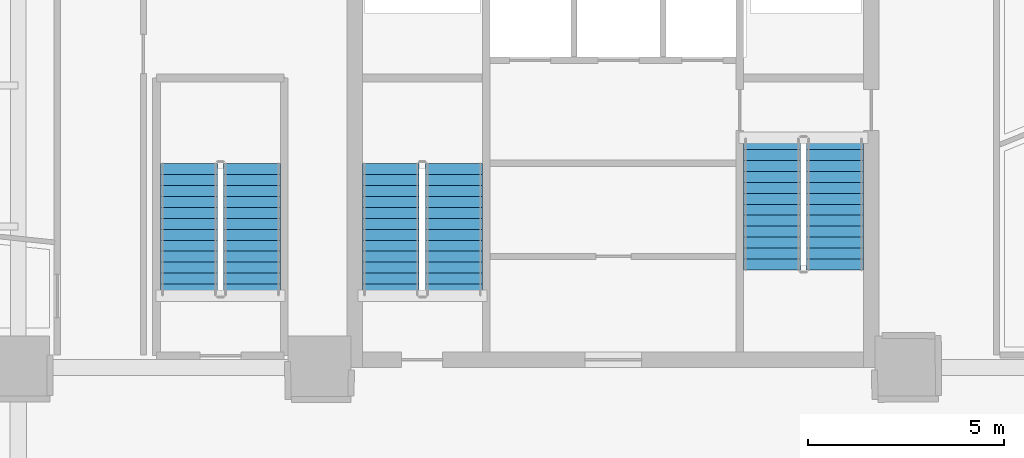
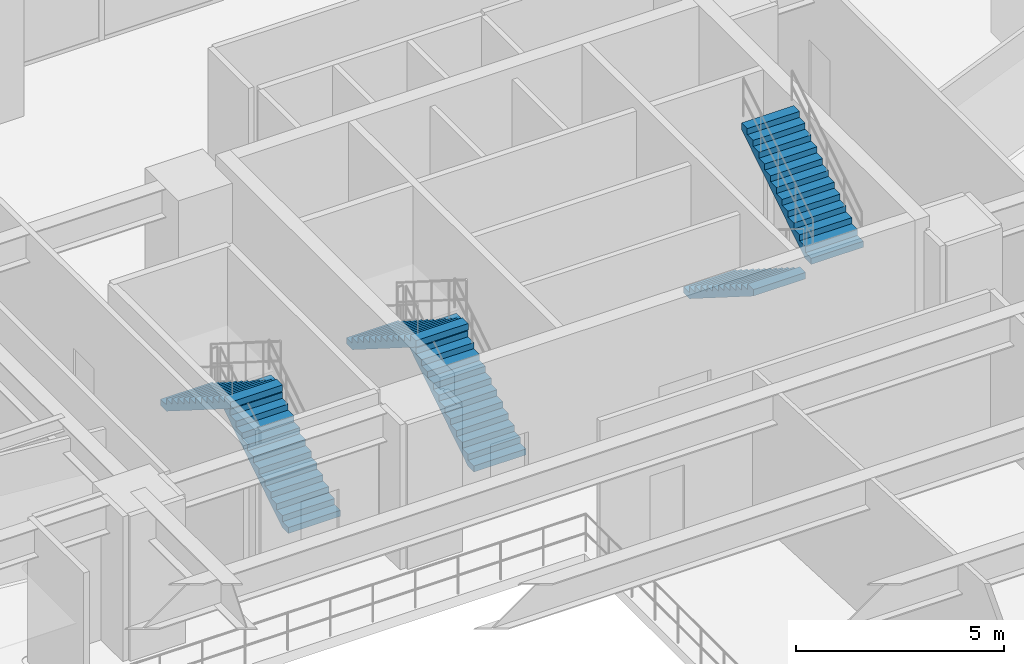
# One storey, part 22 of 25: 6 stair flights, 3 elements without a shape of their own.
"""IFC4 building model written with IfcOpenShell, lengths in metres."""

from ifc_helpers import new_model, si_unit, direction, frame, origin, place, context, subcontext, project, spatial, polyline, outline, extrude, material, layer, layer_set, type_object, element, aggregate, save


model = new_model("IFC4")

# Units and contexts
model_context = context("Model", 3, precision=1e-05, world=origin(), true_north=direction((0.0, 1.0)))
body_context = subcontext(model_context, "Body", "Model", "MODEL_VIEW")
ifc_project = project(units=[si_unit("LENGTHUNIT", "METRE"), si_unit("AREAUNIT", "SQUARE_METRE"), si_unit("VOLUMEUNIT", "CUBIC_METRE"), si_unit("PLANEANGLEUNIT", "RADIAN"), si_unit("MASSUNIT", "GRAM", prefix="KILO")], contexts=[model_context])

# Site, building, storey
site_placement = place(None, origin())
site = spatial("IfcSite", under=ifc_project, at=site_placement, CompositionType="ELEMENT")
building_placement = place(site_placement, origin())
building = spatial("IfcBuilding", under=site, at=building_placement, Name="Talar Marvaseh", CompositionType="ELEMENT")
storey_placement = place(building_placement, frame((0.0, 0.0, 14.39990234375)))
storey = spatial("IfcBuildingStorey", under=building, at=storey_placement, Name="L03", CompositionType="ELEMENT", Elevation=14.39990234375)

# Stair, stair flights
ifc_material = material(Name="Concrete C40/50", Category="concrete")
stair_type = type_object("IfcStairType", Name="Reinforced Concrete Half-Turn Exit Stair Type A", PredefinedType="HALF_TURN_STAIR", material=ifc_material)
stair_1_placement = place(storey_placement, origin())
stair_1 = element("IfcStair", 1, at=stair_1_placement, inside=storey, type_object=stair_type, Name="L03 Tower West Core Exit Stair", PredefinedType="HALF_TURN_STAIR")
ifc_layer = layer(ifc_material, 0.18505859375)
ifc_layer_set = layer_set([ifc_layer], Name="Concrete C40/50")
stair_flight_type = type_object("IfcStairFlightType", Name="Reinforced Concrete Heavy Podium Stair Flight 185", PredefinedType="STRAIGHT", material=ifc_layer_set)
stair_flight_1_placement = place(storey_placement, frame((21.93505859375, 27.64990234375, 0.0), z_axis=(0.0, 0.0, 1.0), x_axis=(0.0, 1.0, 0.0)))
stair_flight_1 = element("IfcStairFlight", 2, at=stair_flight_1_placement, type_object=stair_flight_type, Name="ST-1 flight 1", NumberOfRisers=13, NumberOfTreads=12, PredefinedType="STRAIGHT", RiserHeight=0.176923077, TreadLength=0.28, context=body_context, shape_type="SweptSolid", body=[
    extrude(outline(polyline([(0.0, 0.0), (0.0, 0.177001953125), (0.280029296875, 0.177001953125), (0.280029296875, 0.353759765625), (0.56005859375, 0.353759765625), (0.56005859375, 0.53076171875), (0.840087890625, 0.53076171875), (0.840087890625, 0.707763671875), (1.1201171875, 0.707763671875), (1.1201171875, 0.884521484375), (1.39990234375, 0.884521484375), (1.39990234375, 1.0615234375), (1.679931640625, 1.0615234375), (1.679931640625, 1.238525390625), (1.9599609375, 1.238525390625), (1.9599609375, 1.415283203125), (2.239990234375, 1.415283203125), (2.239990234375, 1.59228515625), (2.52001953125, 1.59228515625), (2.52001953125, 1.769287109375), (2.800048828125, 1.769287109375), (2.800048828125, 1.946044921875), (3.080078125, 1.946044921875), (3.080078125, 2.123046875), (3.360107421875, 2.123046875), (3.360107421875, 2.300048828125), (3.360107421875, 1.933837890625), (0.29931640625, 0.0), (0.0, 0.0)])), frame((0.0, 0.72509765625, 0.0), z_axis=(0.0, -1.0, 0.0), x_axis=(1.0, 0.0, 0.0)), (0.0, 0.0, 1.0), 1.449951171875),
])
stair_flight_2_placement = place(storey_placement, frame((20.324951171875, 31.010009765625, 2.300048828125), z_axis=(0.0, 0.0, 1.0), x_axis=(0.0, -1.0, 0.0)))
stair_flight_2 = element("IfcStairFlight", 3, at=stair_flight_2_placement, type_object=stair_flight_type, Name="ST-1 flight 2", NumberOfRisers=13, NumberOfTreads=12, PredefinedType="STRAIGHT", RiserHeight=0.176923077, TreadLength=0.28, context=body_context, shape_type="SweptSolid", body=[
    extrude(outline(polyline([(0.0, 0.0), (0.0, 0.177001953125), (0.280029296875, 0.177001953125), (0.280029296875, 0.353759765625), (0.56005859375, 0.353759765625), (0.56005859375, 0.53076171875), (0.840087890625, 0.53076171875), (0.840087890625, 0.707763671875), (1.1201171875, 0.707763671875), (1.1201171875, 0.884521484375), (1.39990234375, 0.884521484375), (1.39990234375, 1.0615234375), (1.679931640625, 1.0615234375), (1.679931640625, 1.238525390625), (1.9599609375, 1.238525390625), (1.9599609375, 1.415283203125), (2.239990234375, 1.415283203125), (2.239990234375, 1.59228515625), (2.52001953125, 1.59228515625), (2.52001953125, 1.769287109375), (2.800048828125, 1.769287109375), (2.800048828125, 1.946044921875), (3.080078125, 1.946044921875), (3.080078125, 2.123046875), (3.360107421875, 2.123046875), (3.360107421875, 2.300048828125), (3.360107421875, 1.933837890625), (0.29931640625, 0.0), (0.0, 0.0)])), frame((0.0, 0.72509765625, 0.0), z_axis=(0.0, -1.0, 0.0), x_axis=(1.0, 0.0, 0.0)), (0.0, 0.0, 1.0), 1.449951171875),
])
aggregate(stair_1, [stair_flight_1, stair_flight_2])

stair_2_placement = place(storey_placement, origin())
stair_2 = element("IfcStair", 4, at=stair_2_placement, inside=storey, type_object=stair_type, Name="L03 Tower East Core Exit Stair", PredefinedType="HALF_TURN_STAIR")
stair_flight_3_placement = place(storey_placement, frame((30.06494140625, 31.64990234375, 0.0), z_axis=(0.0, 0.0, 1.0), x_axis=(0.0, -1.0, 0.0)))
stair_flight_3 = element("IfcStairFlight", 5, at=stair_flight_3_placement, type_object=stair_flight_type, Name="ST-2 flight 1", NumberOfRisers=13, NumberOfTreads=12, PredefinedType="STRAIGHT", RiserHeight=0.176923077, TreadLength=0.28, context=body_context, shape_type="SweptSolid", body=[
    extrude(outline(polyline([(0.0, 0.0), (0.0, 0.177001953125), (0.280029296875, 0.177001953125), (0.280029296875, 0.353759765625), (0.56005859375, 0.353759765625), (0.56005859375, 0.53076171875), (0.840087890625, 0.53076171875), (0.840087890625, 0.707763671875), (1.1201171875, 0.707763671875), (1.1201171875, 0.884521484375), (1.39990234375, 0.884521484375), (1.39990234375, 1.0615234375), (1.679931640625, 1.0615234375), (1.679931640625, 1.238525390625), (1.9599609375, 1.238525390625), (1.9599609375, 1.415283203125), (2.239990234375, 1.415283203125), (2.239990234375, 1.59228515625), (2.52001953125, 1.59228515625), (2.52001953125, 1.769287109375), (2.800048828125, 1.769287109375), (2.800048828125, 1.946044921875), (3.080078125, 1.946044921875), (3.080078125, 2.123046875), (3.360107421875, 2.123046875), (3.360107421875, 2.300048828125), (3.360107421875, 1.933837890625), (0.29931640625, 0.0), (0.0, 0.0)])), frame((0.0, 0.72509765625, 0.0), z_axis=(0.0, -1.0, 0.0), x_axis=(1.0, 0.0, 0.0)), (0.0, 0.0, 1.0), 1.449951171875),
])
stair_flight_4_placement = place(storey_placement, frame((31.675048828125, 28.2900390625, 2.300048828125), z_axis=(0.0, 0.0, 1.0), x_axis=(0.0, 1.0, 0.0)))
stair_flight_4 = element("IfcStairFlight", 6, at=stair_flight_4_placement, type_object=stair_flight_type, Name="ST-2 flight 2", NumberOfRisers=13, NumberOfTreads=12, PredefinedType="STRAIGHT", RiserHeight=0.176923077, TreadLength=0.28, context=body_context, shape_type="SweptSolid", body=[
    extrude(outline(polyline([(0.0, 0.0), (0.0, 0.177001953125), (0.280029296875, 0.177001953125), (0.280029296875, 0.353759765625), (0.56005859375, 0.353759765625), (0.56005859375, 0.53076171875), (0.840087890625, 0.53076171875), (0.840087890625, 0.707763671875), (1.1201171875, 0.707763671875), (1.1201171875, 0.884521484375), (1.39990234375, 0.884521484375), (1.39990234375, 1.0615234375), (1.679931640625, 1.0615234375), (1.679931640625, 1.238525390625), (1.9599609375, 1.238525390625), (1.9599609375, 1.415283203125), (2.239990234375, 1.415283203125), (2.239990234375, 1.59228515625), (2.52001953125, 1.59228515625), (2.52001953125, 1.769287109375), (2.800048828125, 1.769287109375), (2.800048828125, 1.946044921875), (3.080078125, 1.946044921875), (3.080078125, 2.123046875), (3.360107421875, 2.123046875), (3.360107421875, 2.300048828125), (3.360107421875, 1.933837890625), (0.29931640625, 0.0), (0.0, 0.0)])), frame((0.0, 0.72509765625, 0.0), z_axis=(0.0, -1.0, 0.0), x_axis=(1.0, 0.0, 0.0)), (0.0, 0.0, 1.0), 1.449951171875),
])
aggregate(stair_2, [stair_flight_3, stair_flight_4])

stair_3_placement = place(storey_placement, origin())
stair_3 = element("IfcStair", 7, at=stair_3_placement, inside=storey, type_object=stair_type, Name="L03 Museum & Podium Auxiliary Exit Stair", PredefinedType="HALF_TURN_STAIR")
stair_flight_5_placement = place(storey_placement, frame((16.77490234375, 27.64990234375, 0.0), z_axis=(0.0, 0.0, 1.0), x_axis=(0.0, 1.0, 0.0)))
stair_flight_5 = element("IfcStairFlight", 8, at=stair_flight_5_placement, type_object=stair_flight_type, Name="ST-3 flight 1", NumberOfRisers=13, NumberOfTreads=12, PredefinedType="STRAIGHT", RiserHeight=0.176923077, TreadLength=0.28, context=body_context, shape_type="SweptSolid", body=[
    extrude(outline(polyline([(0.0, 0.0), (0.0, 0.177001953125), (0.280029296875, 0.177001953125), (0.280029296875, 0.353759765625), (0.56005859375, 0.353759765625), (0.56005859375, 0.53076171875), (0.840087890625, 0.53076171875), (0.840087890625, 0.707763671875), (1.1201171875, 0.707763671875), (1.1201171875, 0.884521484375), (1.39990234375, 0.884521484375), (1.39990234375, 1.0615234375), (1.679931640625, 1.0615234375), (1.679931640625, 1.238525390625), (1.9599609375, 1.238525390625), (1.9599609375, 1.415283203125), (2.239990234375, 1.415283203125), (2.239990234375, 1.59228515625), (2.52001953125, 1.59228515625), (2.52001953125, 1.769287109375), (2.800048828125, 1.769287109375), (2.800048828125, 1.946044921875), (3.080078125, 1.946044921875), (3.080078125, 2.123046875), (3.360107421875, 2.123046875), (3.360107421875, 2.300048828125), (3.360107421875, 1.933837890625), (0.29931640625, 0.0), (0.0, 0.0)])), frame((0.0, 0.72509765625, 0.0), z_axis=(0.0, -1.0, 0.0), x_axis=(1.0, 0.0, 0.0)), (0.0, 0.0, 1.0), 1.449951171875),
])
stair_flight_6_placement = place(storey_placement, frame((15.1650390625, 31.010009765625, 2.300048828125), z_axis=(0.0, 0.0, 1.0), x_axis=(0.0, -1.0, 0.0)))
stair_flight_6 = element("IfcStairFlight", 9, at=stair_flight_6_placement, type_object=stair_flight_type, Name="ST-3 flight 2", NumberOfRisers=13, NumberOfTreads=12, PredefinedType="STRAIGHT", RiserHeight=0.176923077, TreadLength=0.28, context=body_context, shape_type="SweptSolid", body=[
    extrude(outline(polyline([(0.0, 0.0), (0.0, 0.177001953125), (0.280029296875, 0.177001953125), (0.280029296875, 0.353759765625), (0.56005859375, 0.353759765625), (0.56005859375, 0.53076171875), (0.840087890625, 0.53076171875), (0.840087890625, 0.707763671875), (1.1201171875, 0.707763671875), (1.1201171875, 0.884521484375), (1.39990234375, 0.884521484375), (1.39990234375, 1.0615234375), (1.679931640625, 1.0615234375), (1.679931640625, 1.238525390625), (1.9599609375, 1.238525390625), (1.9599609375, 1.415283203125), (2.239990234375, 1.415283203125), (2.239990234375, 1.59228515625), (2.52001953125, 1.59228515625), (2.52001953125, 1.769287109375), (2.800048828125, 1.769287109375), (2.800048828125, 1.946044921875), (3.080078125, 1.946044921875), (3.080078125, 2.123046875), (3.360107421875, 2.123046875), (3.360107421875, 2.300048828125), (3.360107421875, 1.933837890625), (0.29931640625, 0.0), (0.0, 0.0)])), frame((0.0, 0.72509765625, 0.0), z_axis=(0.0, -1.0, 0.0), x_axis=(1.0, 0.0, 0.0)), (0.0, 0.0, 1.0), 1.449951171875),
])
aggregate(stair_3, [stair_flight_5, stair_flight_6])

save(model, "model.ifc")
